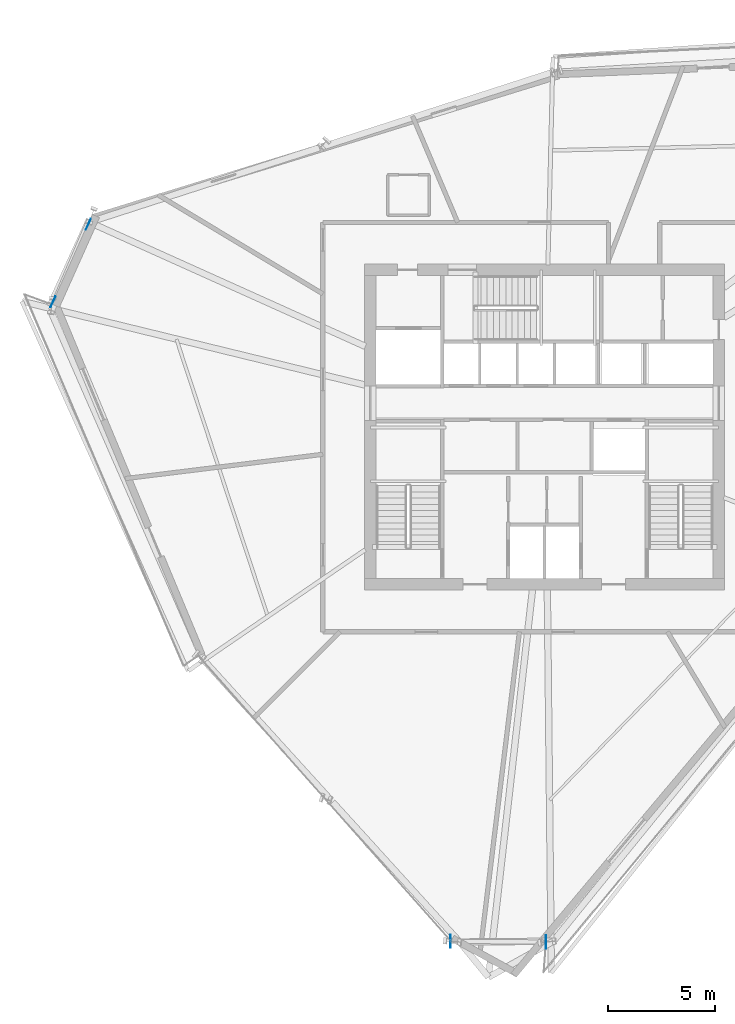
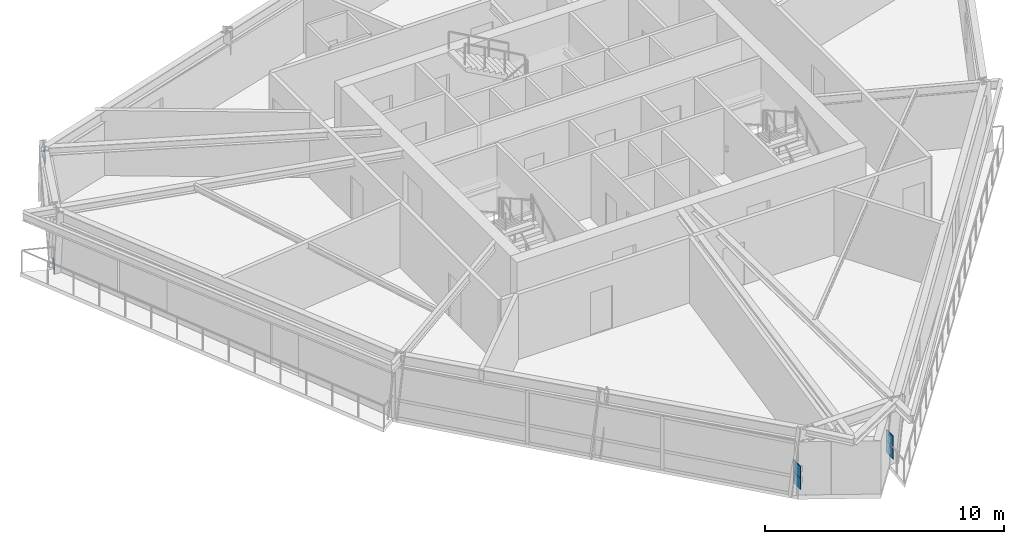
# One storey, part 6 of 13: 6 plates.
"""IFC4 building model written with IfcOpenShell, lengths in metres."""

import ifcopenshell
import ifcopenshell.guid

model = None  # the IFC model being written
_history = None  # IfcOwnerHistory: only IFC2X3 demands one
_inside = {}  # id of a spatial element -> (the spatial element, [elements in it])
_under = {}  # id of a project, library or spatial element -> (it, [spatial elements below it])
_declared = {}  # id of a project -> (the project, [libraries it declares])
_typed = {}  # id of a type object -> (the type object, [elements of that type])
_made_of = {}  # id of a material, layer set ... -> (it, [elements and type objects made of it])


def new_model(schema):
    """Start an empty IFC model of exactly this schema.

    Asked for "IFC4X3", IfcOpenShell would pick the latest addendum, in which some entities
    have other attributes; the version numbers below select the first issue.
    IFC2X3 requires an IfcOwnerHistory on every rooted entity: one is made here for all.
    """
    global model, _history
    if schema == "IFC4X3":
        model = ifcopenshell.file(schema_version=(4, 3, 0, 0))
    else:
        model = ifcopenshell.file(schema=schema)
    _inside.clear()
    _under.clear()
    _declared.clear()
    _typed.clear()
    _made_of.clear()
    _history = None
    if model.schema == "IFC2X3":
        org = make("IfcOrganization", Name="unknown")
        user = make(
            "IfcPersonAndOrganization",
            ThePerson=make("IfcPerson", FamilyName="unknown"),
            TheOrganization=org,
        )
        app = make(
            "IfcApplication",
            ApplicationDeveloper=org,
            Version="unknown",
            ApplicationFullName="unknown",
            ApplicationIdentifier="unknown",
        )
        _history = make(
            "IfcOwnerHistory",
            OwningUser=user,
            OwningApplication=app,
            ChangeAction="ADDED",
            CreationDate=0,
        )
    return model


def make(cls, **values):
    """One entity of the class cls with the attributes given. An attribute that is None is left unset."""
    return model.create_entity(
        cls, **{name: value for name, value in values.items() if value is not None}
    )


def rooted(cls, **values):
    """An entity with a GlobalId (a new one), such as an element, a storey or a relation."""
    return make(cls, GlobalId=ifcopenshell.guid.new(), OwnerHistory=_history, **values)


def si_unit(unit_type, name, prefix=None):
    """IfcSIUnit, for example si_unit("LENGTHUNIT", "METRE", prefix="MILLI")."""
    return make("IfcSIUnit", UnitType=unit_type, Prefix=prefix, Name=name)


def assignment(units):
    """IfcUnitAssignment: the units of a project."""
    return None if units is None else make("IfcUnitAssignment", Units=units)


def point(xyz):
    """IfcCartesianPoint."""
    return None if xyz is None else make("IfcCartesianPoint", Coordinates=xyz)


def direction(xyz):
    """IfcDirection."""
    return None if xyz is None else make("IfcDirection", DirectionRatios=xyz)


def frame(location, z_axis=None, x_axis=None):
    """IfcAxis2Placement3D, a coordinate frame: its origin and axes. An axis left out is left unset."""
    return make(
        "IfcAxis2Placement3D",
        Location=point(location),
        Axis=direction(z_axis),
        RefDirection=direction(x_axis),
    )


def frame_2d(location, x_axis=None):
    """IfcAxis2Placement2D, a coordinate frame in the plane: its origin and x axis."""
    return make(
        "IfcAxis2Placement2D", Location=point(location), RefDirection=direction(x_axis)
    )


def origin():
    """The frame at (0, 0, 0) with its axes left unset."""
    return frame((0.0, 0.0, 0.0))


def origin_2d():
    """The frame at (0, 0) in the plane with its x axis left unset."""
    return frame_2d((0.0, 0.0))


def place(relative_to, where):
    """IfcLocalPlacement: puts the frame where relative to a parent placement (None: the world)."""
    return make(
        "IfcLocalPlacement", PlacementRelTo=relative_to, RelativePlacement=where
    )


def context(
    kind, dimensions, precision=None, world=None, true_north=None, identifier=None
):
    """IfcGeometricRepresentationContext, for example the 3D "Model" context."""
    return make(
        "IfcGeometricRepresentationContext",
        ContextIdentifier=identifier,
        ContextType=kind,
        CoordinateSpaceDimension=dimensions,
        Precision=precision,
        WorldCoordinateSystem=world,
        TrueNorth=true_north,
    )


def subcontext(parent, identifier, kind, view, scale=None):
    """IfcGeometricRepresentationSubContext, for example "Body" below "Model"."""
    return make(
        "IfcGeometricRepresentationSubContext",
        ContextIdentifier=identifier,
        ContextType=kind,
        ParentContext=parent,
        TargetScale=scale,
        TargetView=view,
    )


def project(units=None, contexts=None):
    """IfcProject with its units and contexts."""
    return rooted(
        "IfcProject",
        Name="project",
        RepresentationContexts=contexts,
        UnitsInContext=assignment(units),
    )


def spatial(cls, under=None, at=None, **own):
    """A site, building, storey or space (cls), placed at a placement, below another one or the project."""
    s = rooted(cls, ObjectPlacement=at, **own)
    if under is not None:
        _under.setdefault(under.id(), (under, []))[1].append(s)
    return s


def profile(cls, at=None, kind="AREA", **sizes):
    """A parametric profile (cls). Its sizes go by their IFC names, for example OverallWidth=200.0."""
    return make(cls, ProfileType=kind, Position=at, **sizes)


def rectangle(**sizes):
    """IfcRectangleProfileDef."""
    return profile("IfcRectangleProfileDef", **sizes)


def extrude(swept, where, along, depth):
    """IfcExtrudedAreaSolid: the profile swept, set in the frame where, extruded along a direction by depth."""
    return make(
        "IfcExtrudedAreaSolid",
        SweptArea=swept,
        Position=where,
        ExtrudedDirection=direction(along),
        Depth=depth,
    )


def shape(context_of_items, identifier, shape_type, items):
    """IfcShapeRepresentation: the items that make up one representation, for example the "Body"."""
    return make(
        "IfcShapeRepresentation",
        ContextOfItems=context_of_items,
        RepresentationIdentifier=identifier,
        RepresentationType=shape_type,
        Items=items,
    )


def source(mapping_origin, context_of_items, identifier, shape_type, items):
    """IfcRepresentationMap: a shape defined once, which mapped items show again and again."""
    return make(
        "IfcRepresentationMap",
        MappingOrigin=mapping_origin,
        MappedRepresentation=shape(context_of_items, identifier, shape_type, items),
    )


def transform(
    local_origin,
    x_axis=None,
    y_axis=None,
    z_axis=None,
    scale=None,
    scale2=None,
    scale3=None,
    uniform=True,
):
    """IfcCartesianTransformationOperator3D, or its non-uniform kind. x_axis, y_axis, z_axis: its Axis1, 2, 3."""
    if uniform:
        return make(
            "IfcCartesianTransformationOperator3D",
            Axis1=direction(x_axis),
            Axis2=direction(y_axis),
            LocalOrigin=point(local_origin),
            Scale=scale,
            Axis3=direction(z_axis),
        )
    return make(
        "IfcCartesianTransformationOperator3DnonUniform",
        Axis1=direction(x_axis),
        Axis2=direction(y_axis),
        LocalOrigin=point(local_origin),
        Scale=scale,
        Axis3=direction(z_axis),
        Scale2=scale2,
        Scale3=scale3,
    )


def mapped(mapping_source, mapping_target):
    """IfcMappedItem: shows the shape of a source again, moved by a transform."""
    return make(
        "IfcMappedItem", MappingSource=mapping_source, MappingTarget=mapping_target
    )


def material(Name=None, Category=None):
    """IfcMaterial."""
    return make("IfcMaterial", Name=Name, Category=Category)


def made_of(thing, what):
    """Note that an element or type object is made of a material, layer set ...; save() writes the relation."""
    if what is not None:
        _made_of.setdefault(what.id(), (what, []))[1].append(thing)
    return thing


def type_object(cls, material=None, **own):
    """A type object (cls), such as IfcWallType, which elements share."""
    return made_of(rooted(cls, **own), material)


def element(
    cls,
    number,
    at=None,
    inside=None,
    cuts=None,
    type_object=None,
    material=None,
    context=None,
    identifier="Body",
    shape_type=None,
    held_by="IfcProductDefinitionShape",
    body=None,
    shapes=None,
    **own,
):
    """One element of the class cls, such as IfcWall. Its Tag is "e" and its number.

    at: its placement. inside: the storey or other place that contains it. cuts: it is an
    opening in that element (IfcRelVoidsElement). A single representation is given by context,
    identifier, shape_type and body (its items); several are given by shapes. held_by: the class
    of the entity that holds the representations. save() writes the other relations.
    """
    e = rooted(cls, Tag="e%d" % number, ObjectPlacement=at, **own)
    if body is not None:
        shapes = [shape(context, identifier, shape_type, body)]
    if shapes is not None:
        e.Representation = make(held_by, Representations=shapes)
    if inside is not None:
        _inside.setdefault(inside.id(), (inside, []))[1].append(e)
    if cuts is not None:
        rooted(
            "IfcRelVoidsElement", RelatingBuildingElement=cuts, RelatedOpeningElement=e
        )
    if type_object is not None:
        _typed.setdefault(type_object.id(), (type_object, []))[1].append(e)
    return made_of(e, material)


def aggregate(whole, parts):
    """IfcRelAggregates: a whole, such as a stair, and the parts it consists of."""
    return rooted("IfcRelAggregates", RelatingObject=whole, RelatedObjects=parts)


def save(model, path):
    """Write the relations noted so far, then the file.

    IfcRelAggregates (storeys below a building ...), IfcRelContainedInSpatialStructure (elements
    in a storey), IfcRelDefinesByType, IfcRelAssociatesMaterial and IfcRelDeclares: one each for
    every whole, place, type object, material and project.
    """
    for whole, parts in _under.values():
        aggregate(whole, parts)
    for where, things in _inside.values():
        rooted(
            "IfcRelContainedInSpatialStructure",
            RelatedElements=things,
            RelatingStructure=where,
        )
    for kind, things in _typed.values():
        rooted("IfcRelDefinesByType", RelatedObjects=things, RelatingType=kind)
    for what, things in _made_of.values():
        rooted("IfcRelAssociatesMaterial", RelatedObjects=things, RelatingMaterial=what)
    for by, libraries in _declared.values():
        rooted("IfcRelDeclares", RelatingContext=by, RelatedDefinitions=libraries)
    model.write(path)


model = new_model("IFC4")

# Units and contexts
model_context = context("Model", 3, precision=1e-05, world=origin(), true_north=direction((0.0, 1.0)))
body_context = subcontext(model_context, "Body", "Model", "MODEL_VIEW")
ifc_project = project(units=[si_unit("LENGTHUNIT", "METRE"), si_unit("AREAUNIT", "SQUARE_METRE"), si_unit("VOLUMEUNIT", "CUBIC_METRE"), si_unit("PLANEANGLEUNIT", "RADIAN"), si_unit("MASSUNIT", "GRAM", prefix="KILO")], contexts=[model_context])

# Site, building, storey
site_placement = place(None, origin())
site = spatial("IfcSite", under=ifc_project, at=site_placement, CompositionType="ELEMENT")
building_placement = place(site_placement, origin())
building = spatial("IfcBuilding", under=site, at=building_placement, Name="Olszyna Solenne Hotel", CompositionType="ELEMENT")
storey_placement = place(building_placement, frame((0.0, 0.0, 171.449951171875)))
storey = spatial("IfcBuildingStorey", under=building, at=storey_placement, Name="L45", CompositionType="ELEMENT", Elevation=171.449951171875)

# Plates
ifc_material_1 = material(Name="Steel S460M", Category="steel")
plate_type_1 = type_object("IfcPlateType", Name="GP-CAP2", PredefinedType="USERDEFINED", material=ifc_material_1)
shared_shape_1 = source(origin(), body_context, "Body", "SweptSolid", [
    extrude(rectangle(XDim=0.030029296875, YDim=0.6201171875, at=origin_2d()), origin(), (0.0, 0.0, 1.0), 0.6201171875),
])
for number, where, z_axis, x_axis, name in (
    (1, (33.593017578125, 2.48193359375, 1.0400390625), (0.0, 0.0, 1.0), (0.999975630705, -0.006981260298, 0.0), "Hollow section end-cap plate GP-CAP2 CP-PR-M-L45-PR1-1"),
    (2, (38.0673828125, 2.45068359375, 1.0400390625), (0.0, 0.0, 1.0), (0.999975630705, -0.006981260298, 0.0), "Hollow section end-cap plate GP-CAP2 CP-PR-M-L45-PR1-2"),
    (3, (33.593017578125, 2.48193359375, 0.469970703125), (0.0, 0.0, 1.0), (0.999975630705, -0.006981260298, 0.0), "Hollow section end-cap plate GP-CAP2 CP-PR-M-L45-PR2-1"),
    (4, (38.0673828125, 2.45068359375, 0.469970703125), (0.0, 0.0, 1.0), (0.999975630705, -0.006981260298, 0.0), "Hollow section end-cap plate GP-CAP2 CP-PR-M-L45-PR2-2"),
):
    element("IfcPlate", number, at=place(storey_placement, frame(where, z_axis=z_axis, x_axis=x_axis)), inside=storey, type_object=plate_type_1, Name=name, ObjectType="GUSSET_PLATE", PredefinedType="USERDEFINED", context=body_context, shape_type="MappedRepresentation", body=[
        mapped(shared_shape_1, transform((0.0, 0.0, 0.0), x_axis=(1.0, 0.0, 0.0), y_axis=(0.0, 1.0, 0.0), z_axis=(0.0, 0.0, 1.0), scale=1.0)),
    ])
ifc_material_2 = material(Name="Steel S355J2", Category="steel")
plate_type_2 = type_object("IfcPlateType", Name="GP-ND2", PredefinedType="USERDEFINED", material=ifc_material_2)
shared_shape_2 = source(origin(), body_context, "Body", "SweptSolid", [
    extrude(rectangle(XDim=0.56005859375, YDim=0.02001953125, at=origin_2d()), origin(), (0.0, 0.0, 1.0), 0.47998046875),
])
for number, where, z_axis, x_axis, name in (
    (5, (14.944091796875, 32.47021484375, -0.14892578125), (0.0, 0.0, 1.0), (0.414375580993, 0.910105970685, 0.0), "Brace end connection gusset plate GP-ND2 EP-BR-L45-2-1"),
    (6, (16.60009765625, 36.107177734375, 2.67919921875), (0.0, 0.0, 1.0), (0.414375580993, 0.910105970685, 0.0), "Brace end connection gusset plate GP-ND2 EP-BR-L45-2-2"),
):
    element("IfcPlate", number, at=place(storey_placement, frame(where, z_axis=z_axis, x_axis=x_axis)), inside=storey, type_object=plate_type_2, Name=name, ObjectType="GUSSET_PLATE", PredefinedType="USERDEFINED", context=body_context, shape_type="MappedRepresentation", body=[
        mapped(shared_shape_2, transform((0.0, 0.0, 0.0), x_axis=(1.0, 0.0, 0.0), y_axis=(0.0, 1.0, 0.0), z_axis=(0.0, 0.0, 1.0), scale=1.0)),
    ])

save(model, "model.ifc")
